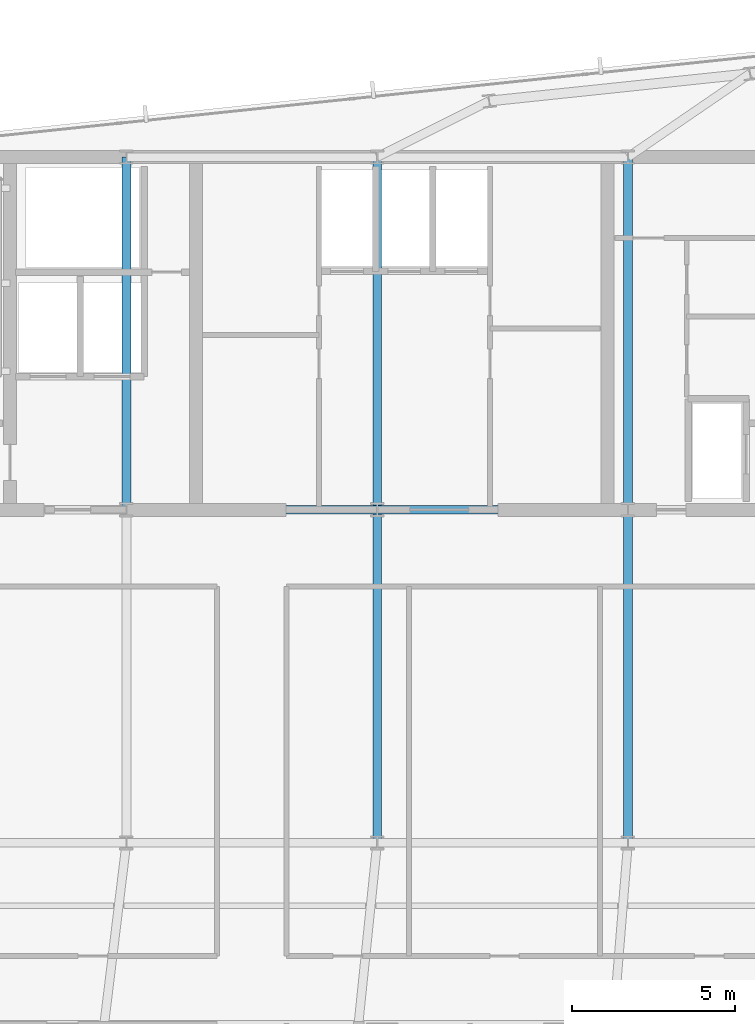
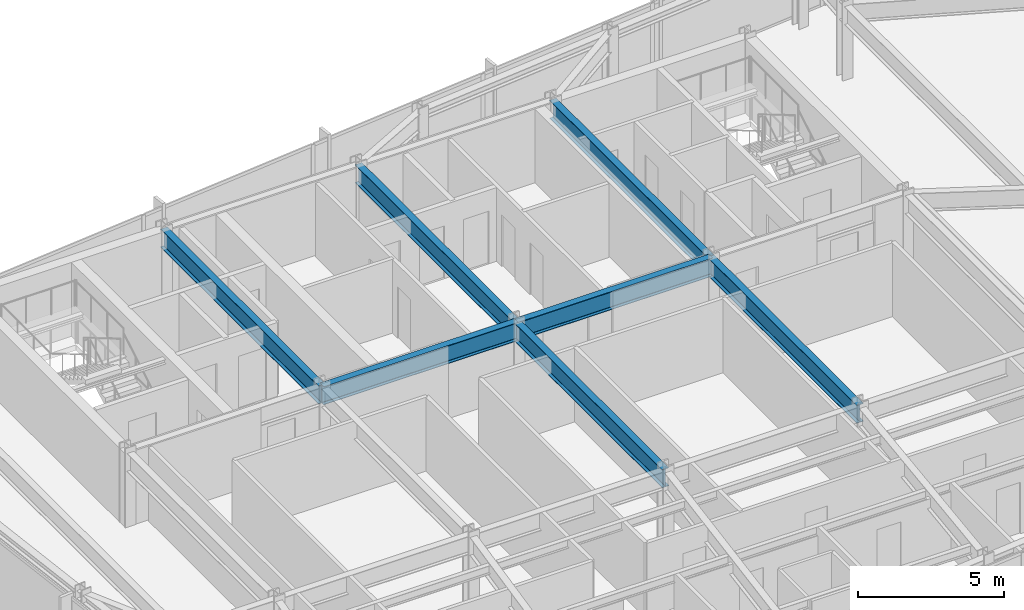
# One storey, part 13 of 32: 7 beams.
"""IFC4 building model written with IfcOpenShell, lengths in metres."""

from ifc_helpers import new_model, si_unit, direction, frame, origin, origin_2d, place, context, subcontext, project, spatial, i_section, extrude, material, material_profile, profile_set, type_object, element, save


model = new_model("IFC4")

# Units and contexts
model_context = context("Model", 3, precision=1e-05, world=origin(), true_north=direction((0.0, 1.0)))
body_context = subcontext(model_context, "Body", "Model", "MODEL_VIEW")
ifc_project = project(units=[si_unit("LENGTHUNIT", "METRE"), si_unit("AREAUNIT", "SQUARE_METRE"), si_unit("VOLUMEUNIT", "CUBIC_METRE"), si_unit("PLANEANGLEUNIT", "RADIAN"), si_unit("MASSUNIT", "GRAM", prefix="KILO")], contexts=[model_context])

# Site, building, storey
site_placement = place(None, origin())
site = spatial("IfcSite", under=ifc_project, at=site_placement, CompositionType="ELEMENT")
building_placement = place(site_placement, origin())
building = spatial("IfcBuilding", under=site, at=building_placement, Name="Yelkora Congress Tower", CompositionType="ELEMENT")
storey_placement = place(building_placement, frame((0.0, 0.0, 214.39990234375)))
storey = spatial("IfcBuildingStorey", under=building, at=storey_placement, Name="L59", CompositionType="ELEMENT", Elevation=214.39990234375)

# Beams
ifc_material = material(Name="Steel S355J2", Category="steel")
ifc_material_profile = material_profile(ifc_material, i_section(OverallWidth=0.26708984375, OverallDepth=0.761962890625, WebThickness=0.014404296875, FlangeThickness=0.021484375, FilletRadius=0.01708984375, at=origin_2d()), Name="IPE 750x173")
ifc_profile_set = profile_set([ifc_material_profile], Name="Steel S355J2")
beam_type = type_object("IfcBeamType", Name="BM-GIRD-IPE750", PredefinedType="BEAM", material=ifc_profile_set)
beam_1_placement = place(storey_placement, frame((30.719970703125, 35.39990234375, 2.69921875), z_axis=(1.0, 0.0, 0.0), x_axis=(0.0, 1.0, 0.0)))
element("IfcBeam", 1, at=beam_1_placement, inside=storey, type_object=beam_type, Name="L59 Core South Girder 2", PredefinedType="BEAM", context=body_context, shape_type="SweptSolid", body=[
    extrude(i_section(OverallWidth=0.26708984375, OverallDepth=0.761962890625, WebThickness=0.014404296875, FlangeThickness=0.021484375, FilletRadius=0.01708984375, at=origin_2d()), origin(), (0.0, 0.0, 1.0), 7.679931640625),
])
beam_2_placement = place(storey_placement, frame((38.39990234375, 35.39990234375, 2.69921875), z_axis=(1.0, 0.0, 0.0), x_axis=(0.0, 1.0, 0.0)))
element("IfcBeam", 2, at=beam_2_placement, inside=storey, type_object=beam_type, Name="L59 Core South Girder 3", PredefinedType="BEAM", context=body_context, shape_type="SweptSolid", body=[
    extrude(i_section(OverallWidth=0.26708984375, OverallDepth=0.761962890625, WebThickness=0.014404296875, FlangeThickness=0.021484375, FilletRadius=0.01708984375, at=origin_2d()), origin(), (0.0, 0.0, 1.0), 7.68017578125),
])
beam_3_placement = place(storey_placement, frame((30.719970703125, 35.39990234375, 2.69921875), z_axis=(0.0, 1.0, 0.0), x_axis=(-1.0, 0.0, 0.0)))
element("IfcBeam", 3, at=beam_3_placement, inside=storey, type_object=beam_type, Name="L59 Core Tie Girder MC-S2", PredefinedType="BEAM", context=body_context, shape_type="SweptSolid", body=[
    extrude(i_section(OverallWidth=0.26708984375, OverallDepth=0.761962890625, WebThickness=0.014404296875, FlangeThickness=0.021484375, FilletRadius=0.01708984375, at=origin_2d()), origin(), (0.0, 0.0, 1.0), 10.800048828125),
])
beam_4_placement = place(storey_placement, frame((38.39990234375, 25.199951171875, 2.69921875), z_axis=(0.0, 1.0, 0.0), x_axis=(-1.0, 0.0, 0.0)))
element("IfcBeam", 4, at=beam_4_placement, inside=storey, type_object=beam_type, Name="L59 Core Tie Girder MC-D3", PredefinedType="BEAM", context=body_context, shape_type="SweptSolid", body=[
    extrude(i_section(OverallWidth=0.26708984375, OverallDepth=0.761962890625, WebThickness=0.014404296875, FlangeThickness=0.021484375, FilletRadius=0.01708984375, at=origin_2d()), origin(), (0.0, 0.0, 1.0), 10.199951171875),
])
beam_5_placement = place(storey_placement, frame((38.39990234375, 35.39990234375, 2.69921875), z_axis=(0.0, 1.0, 0.0), x_axis=(-1.0, 0.0, 0.0)))
element("IfcBeam", 5, at=beam_5_placement, inside=storey, type_object=beam_type, Name="L59 Core Tie Girder MC-S3", PredefinedType="BEAM", context=body_context, shape_type="SweptSolid", body=[
    extrude(i_section(OverallWidth=0.26708984375, OverallDepth=0.761962890625, WebThickness=0.014404296875, FlangeThickness=0.021484375, FilletRadius=0.01708984375, at=origin_2d()), origin(), (0.0, 0.0, 1.0), 10.800048828125),
])
beam_6_placement = place(storey_placement, frame((46.080078125, 25.199951171875, 2.69921875), z_axis=(0.0, 1.0, 0.0), x_axis=(-1.0, 0.0, 0.0)))
element("IfcBeam", 6, at=beam_6_placement, inside=storey, type_object=beam_type, Name="L59 Core Tie Girder MC-D4", PredefinedType="BEAM", context=body_context, shape_type="SweptSolid", body=[
    extrude(i_section(OverallWidth=0.26708984375, OverallDepth=0.761962890625, WebThickness=0.014404296875, FlangeThickness=0.021484375, FilletRadius=0.01708984375, at=origin_2d()), origin(), (0.0, 0.0, 1.0), 10.199951171875),
])
beam_7_placement = place(storey_placement, frame((46.080078125, 35.39990234375, 2.69921875), z_axis=(0.0, 1.0, 0.0), x_axis=(-1.0, 0.0, 0.0)))
element("IfcBeam", 7, at=beam_7_placement, inside=storey, type_object=beam_type, Name="L59 Core Tie Girder MC-S4", PredefinedType="BEAM", context=body_context, shape_type="SweptSolid", body=[
    extrude(i_section(OverallWidth=0.26708984375, OverallDepth=0.761962890625, WebThickness=0.014404296875, FlangeThickness=0.021484375, FilletRadius=0.01708984375, at=origin_2d()), origin(), (0.0, 0.0, 1.0), 10.800048828125),
])

save(model, "model.ifc")
